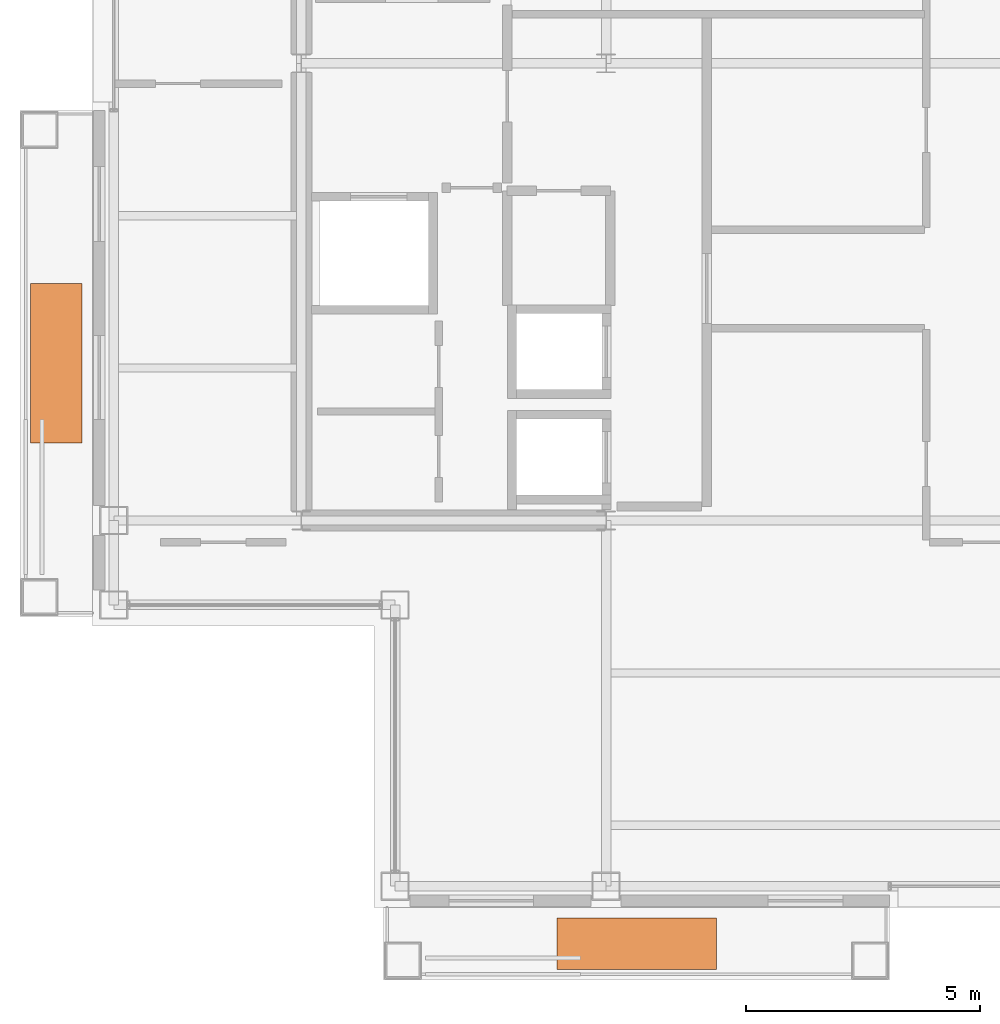
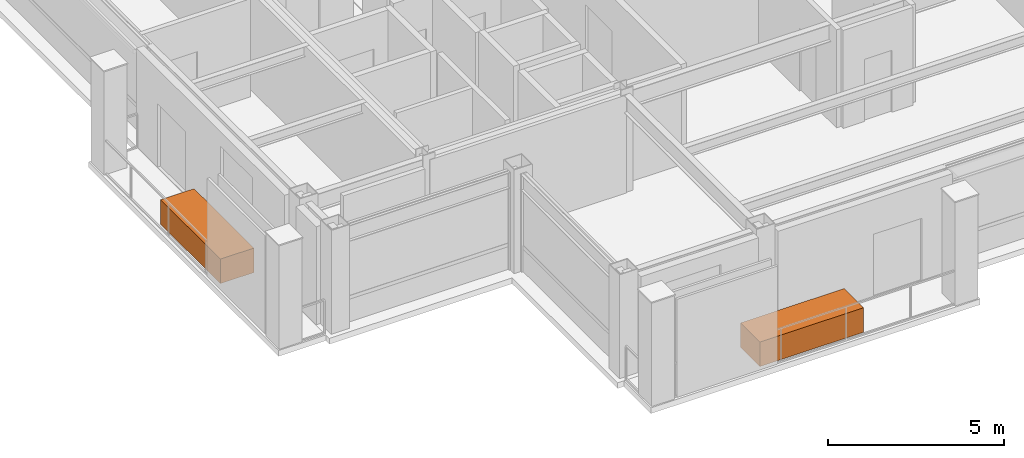
# One storey, part 24 of 24: 2 proxies.
"""IFC4 building model written with IfcOpenShell, lengths in metres."""

from ifc_helpers import new_model, si_unit, direction, frame, origin, origin_2d, place, context, subcontext, project, spatial, rectangle, extrude, material, type_object, element, save


model = new_model("IFC4")

# Units and contexts
model_context = context("Model", 3, precision=1e-05, world=origin(), true_north=direction((0.0, 1.0)))
body_context = subcontext(model_context, "Body", "Model", "MODEL_VIEW")
ifc_project = project(units=[si_unit("LENGTHUNIT", "METRE"), si_unit("AREAUNIT", "SQUARE_METRE"), si_unit("VOLUMEUNIT", "CUBIC_METRE"), si_unit("PLANEANGLEUNIT", "RADIAN"), si_unit("MASSUNIT", "GRAM", prefix="KILO")], contexts=[model_context])

# Site, building, storey
site_placement = place(None, origin())
site = spatial("IfcSite", under=ifc_project, at=site_placement, CompositionType="ELEMENT")
building_placement = place(site_placement, origin())
building = spatial("IfcBuilding", under=site, at=building_placement, Name="Brelmoor Portico Tower", CompositionType="ELEMENT")
storey_placement = place(building_placement, frame((0.0, 0.0, 254.39990234375)))
storey = spatial("IfcBuildingStorey", under=building, at=storey_placement, Name="L67", CompositionType="ELEMENT", Elevation=254.39990234375)

# Proxies
ifc_material = material(Name="Architectural Precast Concrete C40", Category="concrete")
building_element_proxy_type = type_object("IfcBuildingElementProxyType", Name="TREE PLANTER", PredefinedType="USERDEFINED", material=ifc_material)
for number, where, z_axis, x_axis, name in (
    (1, (-7.39990234375, -18.77490234375, 0.0), (0.0, 0.0, 1.0), (1.0, 0.0, 0.0), "L67 Planted Tree Planter S"),
    (2, (-19.77490234375, -6.39990234375, 0.0), (0.0, 0.0, 1.0), (0.0, 1.0, 0.0), "L67 Planted Tree Planter W"),
):
    element("IfcBuildingElementProxy", number, at=place(storey_placement, frame(where, z_axis=z_axis, x_axis=x_axis)), inside=storey, type_object=building_element_proxy_type, Name=name, ObjectType="PLANTER", PredefinedType="USERDEFINED", context=body_context, shape_type="SweptSolid", body=[
        extrude(rectangle(XDim=3.39990234375, YDim=1.10009765625, at=origin_2d()), origin(), (0.0, 0.0, 1.0), 0.85009765625),
    ])

save(model, "model.ifc")
